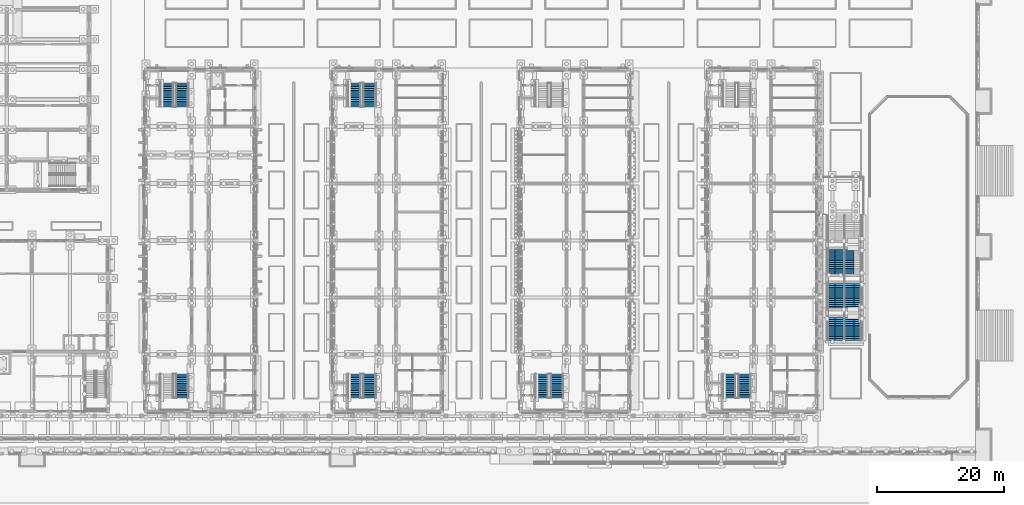
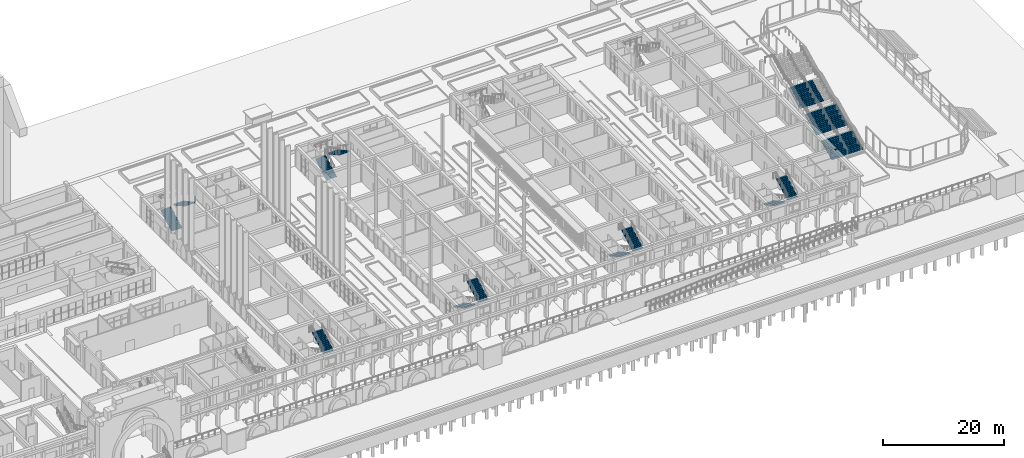
# One storey, part 76 of 161: 22 stair flights, 7 elements without a shape of their own.
"""IFC4 building model written with IfcOpenShell, lengths in metres."""

from ifc_helpers import new_model, si_unit, direction, frame, origin, place, context, subcontext, project, spatial, polyline, outline, extrude, material, type_object, element, aggregate, save


model = new_model("IFC4")

# Units and contexts
model_context = context("Model", 3, precision=1e-05, world=origin(), true_north=direction((0.0, 1.0)))
body_context = subcontext(model_context, "Body", "Model", "MODEL_VIEW")
ifc_project = project(units=[si_unit("LENGTHUNIT", "METRE"), si_unit("AREAUNIT", "SQUARE_METRE"), si_unit("VOLUMEUNIT", "CUBIC_METRE"), si_unit("PLANEANGLEUNIT", "RADIAN"), si_unit("MASSUNIT", "GRAM", prefix="KILO")], contexts=[model_context])

# Site, building, storey
site_placement = place(None, origin())
site = spatial("IfcSite", under=ifc_project, at=site_placement, CompositionType="ELEMENT")
building_placement = place(site_placement, origin())
building = spatial("IfcBuilding", under=site, at=building_placement, Name="Elbe Cascade School", CompositionType="ELEMENT")
storey_placement = place(building_placement, origin())
storey = spatial("IfcBuildingStorey", under=building, at=storey_placement, Name="L00", CompositionType="ELEMENT", Elevation=0.0)

# Stair, stair flight
ifc_material_1 = material(Name="Concrete C30/37", Category="concrete")
stair_type_1 = type_object("IfcStairType", Name="Bar stair RC 150", PredefinedType="HALF_TURN_STAIR", material=ifc_material_1)
stair_1_placement = place(storey_placement, origin())
stair_1 = element("IfcStair", 1, at=stair_1_placement, inside=storey, type_object=stair_type_1, Name="Stair A0.S", PredefinedType="HALF_TURN_STAIR")
ifc_material_2 = material(Name="Concrete C30/37", Category="concrete")
stair_flight_type_1 = type_object("IfcStairFlightType", Name="Bar stair flight RC", PredefinedType="STRAIGHT", material=ifc_material_2)
stair_flight_1_placement = place(storey_placement, frame((74.72509765625, 8.1298828125, 2.25), z_axis=(0.0, 0.0, 1.0), x_axis=(0.0, 1.0, 0.0)))
stair_flight_1 = element("IfcStairFlight", 2, at=stair_flight_1_placement, type_object=stair_flight_type_1, Name="ST3 flight 2", NumberOfRisers=14, NumberOfTreads=13, PredefinedType="STRAIGHT", RiserHeight=0.160714286, TreadLength=0.29, context=body_context, shape_type="SweptSolid", body=[
    extrude(outline(polyline([(0.0, 0.0), (0.0, 0.16064453125), (0.2900390625, 0.16064453125), (0.2900390625, 0.321533203125), (0.580078125, 0.321533203125), (0.580078125, 0.482177734375), (0.8701171875, 0.482177734375), (0.8701171875, 0.642822265625), (1.159912109375, 0.642822265625), (1.159912109375, 0.803466796875), (1.449951171875, 0.803466796875), (1.449951171875, 0.96435546875), (1.739990234375, 0.96435546875), (1.739990234375, 1.125), (2.030029296875, 1.125), (2.030029296875, 1.28564453125), (2.320068359375, 1.28564453125), (2.320068359375, 1.446533203125), (2.610107421875, 1.446533203125), (2.610107421875, 1.607177734375), (2.89990234375, 1.607177734375), (2.89990234375, 1.767822265625), (3.18994140625, 1.767822265625), (3.18994140625, 1.928466796875), (3.47998046875, 1.928466796875), (3.47998046875, 2.08935546875), (3.77001953125, 2.08935546875), (3.77001953125, 2.25), (3.77001953125, 1.91796875), (0.309326171875, 0.0), (0.0, 0.0)])), frame((0.0, 0.97509765625, 0.0), z_axis=(0.0, -1.0, 0.0), x_axis=(1.0, 0.0, 0.0)), (0.0, 0.0, 1.0), 1.949951171875),
])
aggregate(stair_1, [stair_flight_1])

# Stair, stair flights
stair_2_placement = place(storey_placement, origin())
stair_2 = element("IfcStair", 3, at=stair_2_placement, inside=storey, type_object=stair_type_1, Name="Stair A0.N", PredefinedType="HALF_TURN_STAIR")
stair_flight_2_placement = place(storey_placement, frame((72.27490234375, 54.10009765625, 0.0), z_axis=(0.0, 0.0, 1.0), x_axis=(0.0, 1.0, 0.0)))
stair_flight_2 = element("IfcStairFlight", 4, at=stair_flight_2_placement, type_object=stair_flight_type_1, Name="ST3 flight 1", NumberOfRisers=14, NumberOfTreads=13, PredefinedType="STRAIGHT", RiserHeight=0.160714286, TreadLength=0.29, context=body_context, shape_type="SweptSolid", body=[
    extrude(outline(polyline([(0.0, 0.0), (0.0, 0.16064453125), (0.2900390625, 0.16064453125), (0.2900390625, 0.321533203125), (0.580078125, 0.321533203125), (0.580078125, 0.482177734375), (0.8701171875, 0.482177734375), (0.8701171875, 0.642822265625), (1.159912109375, 0.642822265625), (1.159912109375, 0.803466796875), (1.449951171875, 0.803466796875), (1.449951171875, 0.96435546875), (1.739990234375, 0.96435546875), (1.739990234375, 1.125), (2.030029296875, 1.125), (2.030029296875, 1.28564453125), (2.320068359375, 1.28564453125), (2.320068359375, 1.446533203125), (2.610107421875, 1.446533203125), (2.610107421875, 1.607177734375), (2.89990234375, 1.607177734375), (2.89990234375, 1.767822265625), (3.18994140625, 1.767822265625), (3.18994140625, 1.928466796875), (3.47998046875, 1.928466796875), (3.47998046875, 2.08935546875), (3.77001953125, 2.08935546875), (3.77001953125, 2.25), (3.77001953125, 1.91796875), (0.309326171875, 0.0), (0.0, 0.0)])), frame((0.0, 0.97509765625, 0.0), z_axis=(0.0, -1.0, 0.0), x_axis=(1.0, 0.0, 0.0)), (0.0, 0.0, 1.0), 1.949951171875),
])
stair_flight_3_placement = place(storey_placement, frame((74.72509765625, 57.8701171875, 2.25), z_axis=(0.0, 0.0, 1.0), x_axis=(0.0, -1.0, 0.0)))
stair_flight_3 = element("IfcStairFlight", 5, at=stair_flight_3_placement, type_object=stair_flight_type_1, Name="ST3 flight 2", NumberOfRisers=14, NumberOfTreads=13, PredefinedType="STRAIGHT", RiserHeight=0.160714286, TreadLength=0.29, context=body_context, shape_type="SweptSolid", body=[
    extrude(outline(polyline([(0.0, 0.0), (0.0, 0.16064453125), (0.2900390625, 0.16064453125), (0.2900390625, 0.321533203125), (0.580078125, 0.321533203125), (0.580078125, 0.482177734375), (0.8701171875, 0.482177734375), (0.8701171875, 0.642822265625), (1.159912109375, 0.642822265625), (1.159912109375, 0.803466796875), (1.449951171875, 0.803466796875), (1.449951171875, 0.96435546875), (1.739990234375, 0.96435546875), (1.739990234375, 1.125), (2.030029296875, 1.125), (2.030029296875, 1.28564453125), (2.320068359375, 1.28564453125), (2.320068359375, 1.446533203125), (2.610107421875, 1.446533203125), (2.610107421875, 1.607177734375), (2.89990234375, 1.607177734375), (2.89990234375, 1.767822265625), (3.18994140625, 1.767822265625), (3.18994140625, 1.928466796875), (3.47998046875, 1.928466796875), (3.47998046875, 2.08935546875), (3.77001953125, 2.08935546875), (3.77001953125, 2.25), (3.77001953125, 1.91796875), (0.309326171875, 0.0), (0.0, 0.0)])), frame((0.0, 0.97509765625, 0.0), z_axis=(0.0, -1.0, 0.0), x_axis=(1.0, 0.0, 0.0)), (0.0, 0.0, 1.0), 1.949951171875),
])
aggregate(stair_2, [stair_flight_2, stair_flight_3])

stair_3_placement = place(storey_placement, origin())
stair_3 = element("IfcStair", 6, at=stair_3_placement, inside=storey, type_object=stair_type_1, Name="Stair B0.S", PredefinedType="HALF_TURN_STAIR")
stair_flight_4_placement = place(storey_placement, frame((101.875, 11.89990234375, 0.0), z_axis=(0.0, 0.0, 1.0), x_axis=(0.0, -1.0, 0.0)))
stair_flight_4 = element("IfcStairFlight", 7, at=stair_flight_4_placement, type_object=stair_flight_type_1, Name="ST3 flight 1", NumberOfRisers=14, NumberOfTreads=13, PredefinedType="STRAIGHT", RiserHeight=0.160714286, TreadLength=0.29, context=body_context, shape_type="SweptSolid", body=[
    extrude(outline(polyline([(0.0, 0.0), (0.0, 0.16064453125), (0.2900390625, 0.16064453125), (0.2900390625, 0.321533203125), (0.580078125, 0.321533203125), (0.580078125, 0.482177734375), (0.8701171875, 0.482177734375), (0.8701171875, 0.642822265625), (1.159912109375, 0.642822265625), (1.159912109375, 0.803466796875), (1.449951171875, 0.803466796875), (1.449951171875, 0.96435546875), (1.739990234375, 0.96435546875), (1.739990234375, 1.125), (2.030029296875, 1.125), (2.030029296875, 1.28564453125), (2.320068359375, 1.28564453125), (2.320068359375, 1.446533203125), (2.610107421875, 1.446533203125), (2.610107421875, 1.607177734375), (2.89990234375, 1.607177734375), (2.89990234375, 1.767822265625), (3.18994140625, 1.767822265625), (3.18994140625, 1.928466796875), (3.47998046875, 1.928466796875), (3.47998046875, 2.08935546875), (3.77001953125, 2.08935546875), (3.77001953125, 2.25), (3.77001953125, 1.91796875), (0.309326171875, 0.0), (0.0, 0.0)])), frame((0.0, 0.97509765625, 0.0), z_axis=(0.0, -1.0, 0.0), x_axis=(1.0, 0.0, 0.0)), (0.0, 0.0, 1.0), 1.949951171875),
])
stair_flight_5_placement = place(storey_placement, frame((104.324951171875, 8.1298828125, 2.25), z_axis=(0.0, 0.0, 1.0), x_axis=(0.0, 1.0, 0.0)))
stair_flight_5 = element("IfcStairFlight", 8, at=stair_flight_5_placement, type_object=stair_flight_type_1, Name="ST3 flight 2", NumberOfRisers=14, NumberOfTreads=13, PredefinedType="STRAIGHT", RiserHeight=0.160714286, TreadLength=0.29, context=body_context, shape_type="SweptSolid", body=[
    extrude(outline(polyline([(0.0, 0.0), (0.0, 0.16064453125), (0.2900390625, 0.16064453125), (0.2900390625, 0.321533203125), (0.580078125, 0.321533203125), (0.580078125, 0.482177734375), (0.8701171875, 0.482177734375), (0.8701171875, 0.642822265625), (1.159912109375, 0.642822265625), (1.159912109375, 0.803466796875), (1.449951171875, 0.803466796875), (1.449951171875, 0.96435546875), (1.739990234375, 0.96435546875), (1.739990234375, 1.125), (2.030029296875, 1.125), (2.030029296875, 1.28564453125), (2.320068359375, 1.28564453125), (2.320068359375, 1.446533203125), (2.610107421875, 1.446533203125), (2.610107421875, 1.607177734375), (2.89990234375, 1.607177734375), (2.89990234375, 1.767822265625), (3.18994140625, 1.767822265625), (3.18994140625, 1.928466796875), (3.47998046875, 1.928466796875), (3.47998046875, 2.08935546875), (3.77001953125, 2.08935546875), (3.77001953125, 2.25), (3.77001953125, 1.91796875), (0.309326171875, 0.0), (0.0, 0.0)])), frame((0.0, 0.97509765625, 0.0), z_axis=(0.0, -1.0, 0.0), x_axis=(1.0, 0.0, 0.0)), (0.0, 0.0, 1.0), 1.949951171875),
])
aggregate(stair_3, [stair_flight_4, stair_flight_5])

stair_4_placement = place(storey_placement, origin())
stair_4 = element("IfcStair", 9, at=stair_4_placement, inside=storey, type_object=stair_type_1, Name="Stair B0.N", PredefinedType="HALF_TURN_STAIR")
stair_flight_6_placement = place(storey_placement, frame((101.875, 54.10009765625, 0.0), z_axis=(0.0, 0.0, 1.0), x_axis=(0.0, 1.0, 0.0)))
stair_flight_6 = element("IfcStairFlight", 10, at=stair_flight_6_placement, type_object=stair_flight_type_1, Name="ST3 flight 1", NumberOfRisers=14, NumberOfTreads=13, PredefinedType="STRAIGHT", RiserHeight=0.160714286, TreadLength=0.29, context=body_context, shape_type="SweptSolid", body=[
    extrude(outline(polyline([(0.0, 0.0), (0.0, 0.16064453125), (0.2900390625, 0.16064453125), (0.2900390625, 0.321533203125), (0.580078125, 0.321533203125), (0.580078125, 0.482177734375), (0.8701171875, 0.482177734375), (0.8701171875, 0.642822265625), (1.159912109375, 0.642822265625), (1.159912109375, 0.803466796875), (1.449951171875, 0.803466796875), (1.449951171875, 0.96435546875), (1.739990234375, 0.96435546875), (1.739990234375, 1.125), (2.030029296875, 1.125), (2.030029296875, 1.28564453125), (2.320068359375, 1.28564453125), (2.320068359375, 1.446533203125), (2.610107421875, 1.446533203125), (2.610107421875, 1.607177734375), (2.89990234375, 1.607177734375), (2.89990234375, 1.767822265625), (3.18994140625, 1.767822265625), (3.18994140625, 1.928466796875), (3.47998046875, 1.928466796875), (3.47998046875, 2.08935546875), (3.77001953125, 2.08935546875), (3.77001953125, 2.25), (3.77001953125, 1.91796875), (0.309326171875, 0.0), (0.0, 0.0)])), frame((0.0, 0.97509765625, 0.0), z_axis=(0.0, -1.0, 0.0), x_axis=(1.0, 0.0, 0.0)), (0.0, 0.0, 1.0), 1.949951171875),
])
stair_flight_7_placement = place(storey_placement, frame((104.324951171875, 57.8701171875, 2.25), z_axis=(0.0, 0.0, 1.0), x_axis=(0.0, -1.0, 0.0)))
stair_flight_7 = element("IfcStairFlight", 11, at=stair_flight_7_placement, type_object=stair_flight_type_1, Name="ST3 flight 2", NumberOfRisers=14, NumberOfTreads=13, PredefinedType="STRAIGHT", RiserHeight=0.160714286, TreadLength=0.29, context=body_context, shape_type="SweptSolid", body=[
    extrude(outline(polyline([(0.0, 0.0), (0.0, 0.16064453125), (0.2900390625, 0.16064453125), (0.2900390625, 0.321533203125), (0.580078125, 0.321533203125), (0.580078125, 0.482177734375), (0.8701171875, 0.482177734375), (0.8701171875, 0.642822265625), (1.159912109375, 0.642822265625), (1.159912109375, 0.803466796875), (1.449951171875, 0.803466796875), (1.449951171875, 0.96435546875), (1.739990234375, 0.96435546875), (1.739990234375, 1.125), (2.030029296875, 1.125), (2.030029296875, 1.28564453125), (2.320068359375, 1.28564453125), (2.320068359375, 1.446533203125), (2.610107421875, 1.446533203125), (2.610107421875, 1.607177734375), (2.89990234375, 1.607177734375), (2.89990234375, 1.767822265625), (3.18994140625, 1.767822265625), (3.18994140625, 1.928466796875), (3.47998046875, 1.928466796875), (3.47998046875, 2.08935546875), (3.77001953125, 2.08935546875), (3.77001953125, 2.25), (3.77001953125, 1.91796875), (0.309326171875, 0.0), (0.0, 0.0)])), frame((0.0, 0.97509765625, 0.0), z_axis=(0.0, -1.0, 0.0), x_axis=(1.0, 0.0, 0.0)), (0.0, 0.0, 1.0), 1.949951171875),
])
aggregate(stair_4, [stair_flight_6, stair_flight_7])

stair_5_placement = place(storey_placement, origin())
stair_5 = element("IfcStair", 12, at=stair_5_placement, inside=storey, type_object=stair_type_1, Name="Stair C0.S", PredefinedType="HALF_TURN_STAIR")
stair_flight_8_placement = place(storey_placement, frame((131.47509765625, 11.89990234375, 0.0), z_axis=(0.0, 0.0, 1.0), x_axis=(0.0, -1.0, 0.0)))
stair_flight_8 = element("IfcStairFlight", 13, at=stair_flight_8_placement, type_object=stair_flight_type_1, Name="ST3 flight 1", NumberOfRisers=14, NumberOfTreads=13, PredefinedType="STRAIGHT", RiserHeight=0.160714286, TreadLength=0.29, context=body_context, shape_type="SweptSolid", body=[
    extrude(outline(polyline([(0.0, 0.0), (0.0, 0.16064453125), (0.2900390625, 0.16064453125), (0.2900390625, 0.321533203125), (0.580078125, 0.321533203125), (0.580078125, 0.482177734375), (0.8701171875, 0.482177734375), (0.8701171875, 0.642822265625), (1.159912109375, 0.642822265625), (1.159912109375, 0.803466796875), (1.449951171875, 0.803466796875), (1.449951171875, 0.96435546875), (1.739990234375, 0.96435546875), (1.739990234375, 1.125), (2.030029296875, 1.125), (2.030029296875, 1.28564453125), (2.320068359375, 1.28564453125), (2.320068359375, 1.446533203125), (2.610107421875, 1.446533203125), (2.610107421875, 1.607177734375), (2.89990234375, 1.607177734375), (2.89990234375, 1.767822265625), (3.18994140625, 1.767822265625), (3.18994140625, 1.928466796875), (3.47998046875, 1.928466796875), (3.47998046875, 2.08935546875), (3.77001953125, 2.08935546875), (3.77001953125, 2.25), (3.77001953125, 1.91796875), (0.309326171875, 0.0), (0.0, 0.0)])), frame((0.0, 0.97509765625, 0.0), z_axis=(0.0, -1.0, 0.0), x_axis=(1.0, 0.0, 0.0)), (0.0, 0.0, 1.0), 1.949951171875),
])
stair_flight_9_placement = place(storey_placement, frame((133.925048828125, 8.1298828125, 2.25), z_axis=(0.0, 0.0, 1.0), x_axis=(0.0, 1.0, 0.0)))
stair_flight_9 = element("IfcStairFlight", 14, at=stair_flight_9_placement, type_object=stair_flight_type_1, Name="ST3 flight 2", NumberOfRisers=14, NumberOfTreads=13, PredefinedType="STRAIGHT", RiserHeight=0.160714286, TreadLength=0.29, context=body_context, shape_type="SweptSolid", body=[
    extrude(outline(polyline([(0.0, 0.0), (0.0, 0.16064453125), (0.2900390625, 0.16064453125), (0.2900390625, 0.321533203125), (0.580078125, 0.321533203125), (0.580078125, 0.482177734375), (0.8701171875, 0.482177734375), (0.8701171875, 0.642822265625), (1.159912109375, 0.642822265625), (1.159912109375, 0.803466796875), (1.449951171875, 0.803466796875), (1.449951171875, 0.96435546875), (1.739990234375, 0.96435546875), (1.739990234375, 1.125), (2.030029296875, 1.125), (2.030029296875, 1.28564453125), (2.320068359375, 1.28564453125), (2.320068359375, 1.446533203125), (2.610107421875, 1.446533203125), (2.610107421875, 1.607177734375), (2.89990234375, 1.607177734375), (2.89990234375, 1.767822265625), (3.18994140625, 1.767822265625), (3.18994140625, 1.928466796875), (3.47998046875, 1.928466796875), (3.47998046875, 2.08935546875), (3.77001953125, 2.08935546875), (3.77001953125, 2.25), (3.77001953125, 1.91796875), (0.309326171875, 0.0), (0.0, 0.0)])), frame((0.0, 0.97509765625, 0.0), z_axis=(0.0, -1.0, 0.0), x_axis=(1.0, 0.0, 0.0)), (0.0, 0.0, 1.0), 1.949951171875),
])
aggregate(stair_5, [stair_flight_8, stair_flight_9])

stair_6_placement = place(storey_placement, origin())
stair_6 = element("IfcStair", 15, at=stair_6_placement, inside=storey, type_object=stair_type_1, Name="Stair D0.S", PredefinedType="HALF_TURN_STAIR")
stair_flight_10_placement = place(storey_placement, frame((161.074951171875, 11.89990234375, 0.0), z_axis=(0.0, 0.0, 1.0), x_axis=(0.0, -1.0, 0.0)))
stair_flight_10 = element("IfcStairFlight", 16, at=stair_flight_10_placement, type_object=stair_flight_type_1, Name="ST3 flight 1", NumberOfRisers=14, NumberOfTreads=13, PredefinedType="STRAIGHT", RiserHeight=0.160714286, TreadLength=0.29, context=body_context, shape_type="SweptSolid", body=[
    extrude(outline(polyline([(0.0, 0.0), (0.0, 0.16064453125), (0.2900390625, 0.16064453125), (0.2900390625, 0.321533203125), (0.580078125, 0.321533203125), (0.580078125, 0.482177734375), (0.8701171875, 0.482177734375), (0.8701171875, 0.642822265625), (1.159912109375, 0.642822265625), (1.159912109375, 0.803466796875), (1.449951171875, 0.803466796875), (1.449951171875, 0.96435546875), (1.739990234375, 0.96435546875), (1.739990234375, 1.125), (2.030029296875, 1.125), (2.030029296875, 1.28564453125), (2.320068359375, 1.28564453125), (2.320068359375, 1.446533203125), (2.610107421875, 1.446533203125), (2.610107421875, 1.607177734375), (2.89990234375, 1.607177734375), (2.89990234375, 1.767822265625), (3.18994140625, 1.767822265625), (3.18994140625, 1.928466796875), (3.47998046875, 1.928466796875), (3.47998046875, 2.08935546875), (3.77001953125, 2.08935546875), (3.77001953125, 2.25), (3.77001953125, 1.91796875), (0.309326171875, 0.0), (0.0, 0.0)])), frame((0.0, 0.97509765625, 0.0), z_axis=(0.0, -1.0, 0.0), x_axis=(1.0, 0.0, 0.0)), (0.0, 0.0, 1.0), 1.949951171875),
])
stair_flight_11_placement = place(storey_placement, frame((163.52490234375, 8.1298828125, 2.25), z_axis=(0.0, 0.0, 1.0), x_axis=(0.0, 1.0, 0.0)))
stair_flight_11 = element("IfcStairFlight", 17, at=stair_flight_11_placement, type_object=stair_flight_type_1, Name="ST3 flight 2", NumberOfRisers=14, NumberOfTreads=13, PredefinedType="STRAIGHT", RiserHeight=0.160714286, TreadLength=0.29, context=body_context, shape_type="SweptSolid", body=[
    extrude(outline(polyline([(0.0, 0.0), (0.0, 0.16064453125), (0.2900390625, 0.16064453125), (0.2900390625, 0.321533203125), (0.580078125, 0.321533203125), (0.580078125, 0.482177734375), (0.8701171875, 0.482177734375), (0.8701171875, 0.642822265625), (1.159912109375, 0.642822265625), (1.159912109375, 0.803466796875), (1.449951171875, 0.803466796875), (1.449951171875, 0.96435546875), (1.739990234375, 0.96435546875), (1.739990234375, 1.125), (2.030029296875, 1.125), (2.030029296875, 1.28564453125), (2.320068359375, 1.28564453125), (2.320068359375, 1.446533203125), (2.610107421875, 1.446533203125), (2.610107421875, 1.607177734375), (2.89990234375, 1.607177734375), (2.89990234375, 1.767822265625), (3.18994140625, 1.767822265625), (3.18994140625, 1.928466796875), (3.47998046875, 1.928466796875), (3.47998046875, 2.08935546875), (3.77001953125, 2.08935546875), (3.77001953125, 2.25), (3.77001953125, 1.91796875), (0.309326171875, 0.0), (0.0, 0.0)])), frame((0.0, 0.97509765625, 0.0), z_axis=(0.0, -1.0, 0.0), x_axis=(1.0, 0.0, 0.0)), (0.0, 0.0, 1.0), 1.949951171875),
])
aggregate(stair_6, [stair_flight_10, stair_flight_11])

ifc_material_3 = material(Name="Concrete C30/37", Category="concrete")
stair_type_2 = type_object("IfcStairType", Name="Cascade steps", PredefinedType="STRAIGHT_RUN_STAIR", material=ifc_material_3)
stair_7_placement = place(storey_placement, origin())
stair_7 = element("IfcStair", 18, at=stair_7_placement, inside=storey, type_object=stair_type_2, Name="Cascade steps", PredefinedType="STRAIGHT_RUN_STAIR")
ifc_material_4 = material(Name="Concrete C30/37", Category="concrete")
stair_flight_type_2 = type_object("IfcStairFlightType", Name="Cascade steps flight", PredefinedType="STRAIGHT", material=ifc_material_4)
stair_flight_12_placement = place(storey_placement, frame((177.050048828125, 17.199951171875, 0.0), z_axis=(0.0, 0.0, 1.0), x_axis=(0.0, 1.0, 0.0)))
stair_flight_12 = element("IfcStairFlight", 19, at=stair_flight_12_placement, type_object=stair_flight_type_2, Name="ST2 flight 1", NumberOfRisers=13, NumberOfTreads=12, PredefinedType="STRAIGHT", RiserHeight=0.149454545, TreadLength=0.3, context=body_context, shape_type="SweptSolid", body=[
    extrude(outline(polyline([(0.0, 0.0), (0.0, 0.1494140625), (0.300048828125, 0.1494140625), (0.300048828125, 0.298828125), (0.60009765625, 0.298828125), (0.60009765625, 0.4482421875), (0.89990234375, 0.4482421875), (0.89990234375, 0.597900390625), (1.199951171875, 0.597900390625), (1.199951171875, 0.747314453125), (1.5, 0.747314453125), (1.5, 0.896728515625), (1.800048828125, 0.896728515625), (1.800048828125, 1.046142578125), (2.10009765625, 1.046142578125), (2.10009765625, 1.195556640625), (2.39990234375, 1.195556640625), (2.39990234375, 1.344970703125), (2.699951171875, 1.344970703125), (2.699951171875, 1.49462890625), (3.0, 1.49462890625), (3.0, 1.64404296875), (3.300048828125, 1.64404296875), (3.300048828125, 1.79345703125), (3.60009765625, 1.79345703125), (3.60009765625, 1.94287109375), (3.60009765625, 1.6259765625), (0.336181640625, 0.0), (0.0, 0.0)])), frame((0.0, 0.75, 0.0), z_axis=(0.0, -1.0, 0.0), x_axis=(1.0, 0.0, 0.0)), (0.0, 0.0, 1.0), 1.5),
])
stair_flight_13_placement = place(storey_placement, frame((178.550048828125, 17.199951171875, 0.0), z_axis=(0.0, 0.0, 1.0), x_axis=(0.0, 1.0, 0.0)))
stair_flight_13 = element("IfcStairFlight", 20, at=stair_flight_13_placement, type_object=stair_flight_type_2, Name="ST2 flight 2", NumberOfRisers=13, NumberOfTreads=12, PredefinedType="STRAIGHT", RiserHeight=0.149454545, TreadLength=0.3, context=body_context, shape_type="SweptSolid", body=[
    extrude(outline(polyline([(0.0, 0.0), (0.0, 0.1494140625), (0.300048828125, 0.1494140625), (0.300048828125, 0.298828125), (0.60009765625, 0.298828125), (0.60009765625, 0.4482421875), (0.89990234375, 0.4482421875), (0.89990234375, 0.597900390625), (1.199951171875, 0.597900390625), (1.199951171875, 0.747314453125), (1.5, 0.747314453125), (1.5, 0.896728515625), (1.800048828125, 0.896728515625), (1.800048828125, 1.046142578125), (2.10009765625, 1.046142578125), (2.10009765625, 1.195556640625), (2.39990234375, 1.195556640625), (2.39990234375, 1.344970703125), (2.699951171875, 1.344970703125), (2.699951171875, 1.49462890625), (3.0, 1.49462890625), (3.0, 1.64404296875), (3.300048828125, 1.64404296875), (3.300048828125, 1.79345703125), (3.60009765625, 1.79345703125), (3.60009765625, 1.94287109375), (3.60009765625, 1.6259765625), (0.336181640625, 0.0), (0.0, 0.0)])), frame((0.0, 0.75, 0.0), z_axis=(0.0, -1.0, 0.0), x_axis=(1.0, 0.0, 0.0)), (0.0, 0.0, 1.0), 1.5),
])
stair_flight_14_placement = place(storey_placement, frame((180.050048828125, 17.199951171875, 0.0), z_axis=(0.0, 0.0, 1.0), x_axis=(0.0, 1.0, 0.0)))
stair_flight_14 = element("IfcStairFlight", 21, at=stair_flight_14_placement, type_object=stair_flight_type_2, Name="ST2 flight 3", NumberOfRisers=13, NumberOfTreads=12, PredefinedType="STRAIGHT", RiserHeight=0.149454545, TreadLength=0.3, context=body_context, shape_type="SweptSolid", body=[
    extrude(outline(polyline([(0.0, 0.0), (0.0, 0.1494140625), (0.300048828125, 0.1494140625), (0.300048828125, 0.298828125), (0.60009765625, 0.298828125), (0.60009765625, 0.4482421875), (0.89990234375, 0.4482421875), (0.89990234375, 0.597900390625), (1.199951171875, 0.597900390625), (1.199951171875, 0.747314453125), (1.5, 0.747314453125), (1.5, 0.896728515625), (1.800048828125, 0.896728515625), (1.800048828125, 1.046142578125), (2.10009765625, 1.046142578125), (2.10009765625, 1.195556640625), (2.39990234375, 1.195556640625), (2.39990234375, 1.344970703125), (2.699951171875, 1.344970703125), (2.699951171875, 1.49462890625), (3.0, 1.49462890625), (3.0, 1.64404296875), (3.300048828125, 1.64404296875), (3.300048828125, 1.79345703125), (3.60009765625, 1.79345703125), (3.60009765625, 1.94287109375), (3.60009765625, 1.6259765625), (0.336181640625, 0.0), (0.0, 0.0)])), frame((0.0, 0.75, 0.0), z_axis=(0.0, -1.0, 0.0), x_axis=(1.0, 0.0, 0.0)), (0.0, 0.0, 1.0), 1.5),
])
stair_flight_15_placement = place(storey_placement, frame((181.550048828125, 17.199951171875, 0.0), z_axis=(0.0, 0.0, 1.0), x_axis=(0.0, 1.0, 0.0)))
stair_flight_15 = element("IfcStairFlight", 22, at=stair_flight_15_placement, type_object=stair_flight_type_2, Name="ST2 flight 4", NumberOfRisers=13, NumberOfTreads=12, PredefinedType="STRAIGHT", RiserHeight=0.149454545, TreadLength=0.3, context=body_context, shape_type="SweptSolid", body=[
    extrude(outline(polyline([(0.0, 0.0), (0.0, 0.1494140625), (0.300048828125, 0.1494140625), (0.300048828125, 0.298828125), (0.60009765625, 0.298828125), (0.60009765625, 0.4482421875), (0.89990234375, 0.4482421875), (0.89990234375, 0.597900390625), (1.199951171875, 0.597900390625), (1.199951171875, 0.747314453125), (1.5, 0.747314453125), (1.5, 0.896728515625), (1.800048828125, 0.896728515625), (1.800048828125, 1.046142578125), (2.10009765625, 1.046142578125), (2.10009765625, 1.195556640625), (2.39990234375, 1.195556640625), (2.39990234375, 1.344970703125), (2.699951171875, 1.344970703125), (2.699951171875, 1.49462890625), (3.0, 1.49462890625), (3.0, 1.64404296875), (3.300048828125, 1.64404296875), (3.300048828125, 1.79345703125), (3.60009765625, 1.79345703125), (3.60009765625, 1.94287109375), (3.60009765625, 1.6259765625), (0.336181640625, 0.0), (0.0, 0.0)])), frame((0.0, 0.75, 0.0), z_axis=(0.0, -1.0, 0.0), x_axis=(1.0, 0.0, 0.0)), (0.0, 0.0, 1.0), 1.5),
])
stair_flight_16_placement = place(storey_placement, frame((177.050048828125, 22.300048828125, 1.94287109375), z_axis=(0.0, 0.0, 1.0), x_axis=(0.0, 1.0, 0.0)))
stair_flight_16 = element("IfcStairFlight", 23, at=stair_flight_16_placement, type_object=stair_flight_type_2, Name="ST2 flight 5", NumberOfRisers=14, NumberOfTreads=13, PredefinedType="STRAIGHT", RiserHeight=0.149454545, TreadLength=0.3, context=body_context, shape_type="SweptSolid", body=[
    extrude(outline(polyline([(0.0, 0.0), (0.0, 0.1494140625), (0.300048828125, 0.1494140625), (0.300048828125, 0.298828125), (0.60009765625, 0.298828125), (0.60009765625, 0.4482421875), (0.89990234375, 0.4482421875), (0.89990234375, 0.597900390625), (1.199951171875, 0.597900390625), (1.199951171875, 0.747314453125), (1.5, 0.747314453125), (1.5, 0.896728515625), (1.800048828125, 0.896728515625), (1.800048828125, 1.046142578125), (2.10009765625, 1.046142578125), (2.10009765625, 1.195556640625), (2.39990234375, 1.195556640625), (2.39990234375, 1.344970703125), (2.699951171875, 1.344970703125), (2.699951171875, 1.49462890625), (3.0, 1.49462890625), (3.0, 1.64404296875), (3.300048828125, 1.64404296875), (3.300048828125, 1.79345703125), (3.60009765625, 1.79345703125), (3.60009765625, 1.94287109375), (3.89990234375, 1.94287109375), (3.89990234375, 2.09228515625), (3.89990234375, 1.775390625), (0.336181640625, 0.0), (0.0, 0.0)])), frame((0.0, 0.75, 0.0), z_axis=(0.0, -1.0, 0.0), x_axis=(1.0, 0.0, 0.0)), (0.0, 0.0, 1.0), 1.5),
])
stair_flight_17_placement = place(storey_placement, frame((178.550048828125, 22.300048828125, 1.94287109375), z_axis=(0.0, 0.0, 1.0), x_axis=(0.0, 1.0, 0.0)))
stair_flight_17 = element("IfcStairFlight", 24, at=stair_flight_17_placement, type_object=stair_flight_type_2, Name="ST2 flight 6", NumberOfRisers=14, NumberOfTreads=13, PredefinedType="STRAIGHT", RiserHeight=0.149454545, TreadLength=0.3, context=body_context, shape_type="SweptSolid", body=[
    extrude(outline(polyline([(0.0, 0.0), (0.0, 0.1494140625), (0.300048828125, 0.1494140625), (0.300048828125, 0.298828125), (0.60009765625, 0.298828125), (0.60009765625, 0.4482421875), (0.89990234375, 0.4482421875), (0.89990234375, 0.597900390625), (1.199951171875, 0.597900390625), (1.199951171875, 0.747314453125), (1.5, 0.747314453125), (1.5, 0.896728515625), (1.800048828125, 0.896728515625), (1.800048828125, 1.046142578125), (2.10009765625, 1.046142578125), (2.10009765625, 1.195556640625), (2.39990234375, 1.195556640625), (2.39990234375, 1.344970703125), (2.699951171875, 1.344970703125), (2.699951171875, 1.49462890625), (3.0, 1.49462890625), (3.0, 1.64404296875), (3.300048828125, 1.64404296875), (3.300048828125, 1.79345703125), (3.60009765625, 1.79345703125), (3.60009765625, 1.94287109375), (3.89990234375, 1.94287109375), (3.89990234375, 2.09228515625), (3.89990234375, 1.775390625), (0.336181640625, 0.0), (0.0, 0.0)])), frame((0.0, 0.75, 0.0), z_axis=(0.0, -1.0, 0.0), x_axis=(1.0, 0.0, 0.0)), (0.0, 0.0, 1.0), 1.5),
])
stair_flight_18_placement = place(storey_placement, frame((180.050048828125, 22.300048828125, 1.94287109375), z_axis=(0.0, 0.0, 1.0), x_axis=(0.0, 1.0, 0.0)))
stair_flight_18 = element("IfcStairFlight", 25, at=stair_flight_18_placement, type_object=stair_flight_type_2, Name="ST2 flight 7", NumberOfRisers=14, NumberOfTreads=13, PredefinedType="STRAIGHT", RiserHeight=0.149454545, TreadLength=0.3, context=body_context, shape_type="SweptSolid", body=[
    extrude(outline(polyline([(0.0, 0.0), (0.0, 0.1494140625), (0.300048828125, 0.1494140625), (0.300048828125, 0.298828125), (0.60009765625, 0.298828125), (0.60009765625, 0.4482421875), (0.89990234375, 0.4482421875), (0.89990234375, 0.597900390625), (1.199951171875, 0.597900390625), (1.199951171875, 0.747314453125), (1.5, 0.747314453125), (1.5, 0.896728515625), (1.800048828125, 0.896728515625), (1.800048828125, 1.046142578125), (2.10009765625, 1.046142578125), (2.10009765625, 1.195556640625), (2.39990234375, 1.195556640625), (2.39990234375, 1.344970703125), (2.699951171875, 1.344970703125), (2.699951171875, 1.49462890625), (3.0, 1.49462890625), (3.0, 1.64404296875), (3.300048828125, 1.64404296875), (3.300048828125, 1.79345703125), (3.60009765625, 1.79345703125), (3.60009765625, 1.94287109375), (3.89990234375, 1.94287109375), (3.89990234375, 2.09228515625), (3.89990234375, 1.775390625), (0.336181640625, 0.0), (0.0, 0.0)])), frame((0.0, 0.75, 0.0), z_axis=(0.0, -1.0, 0.0), x_axis=(1.0, 0.0, 0.0)), (0.0, 0.0, 1.0), 1.5),
])
stair_flight_19_placement = place(storey_placement, frame((181.550048828125, 22.300048828125, 1.94287109375), z_axis=(0.0, 0.0, 1.0), x_axis=(0.0, 1.0, 0.0)))
stair_flight_19 = element("IfcStairFlight", 26, at=stair_flight_19_placement, type_object=stair_flight_type_2, Name="ST2 flight 8", NumberOfRisers=14, NumberOfTreads=13, PredefinedType="STRAIGHT", RiserHeight=0.149454545, TreadLength=0.3, context=body_context, shape_type="SweptSolid", body=[
    extrude(outline(polyline([(0.0, 0.0), (0.0, 0.1494140625), (0.300048828125, 0.1494140625), (0.300048828125, 0.298828125), (0.60009765625, 0.298828125), (0.60009765625, 0.4482421875), (0.89990234375, 0.4482421875), (0.89990234375, 0.597900390625), (1.199951171875, 0.597900390625), (1.199951171875, 0.747314453125), (1.5, 0.747314453125), (1.5, 0.896728515625), (1.800048828125, 0.896728515625), (1.800048828125, 1.046142578125), (2.10009765625, 1.046142578125), (2.10009765625, 1.195556640625), (2.39990234375, 1.195556640625), (2.39990234375, 1.344970703125), (2.699951171875, 1.344970703125), (2.699951171875, 1.49462890625), (3.0, 1.49462890625), (3.0, 1.64404296875), (3.300048828125, 1.64404296875), (3.300048828125, 1.79345703125), (3.60009765625, 1.79345703125), (3.60009765625, 1.94287109375), (3.89990234375, 1.94287109375), (3.89990234375, 2.09228515625), (3.89990234375, 1.775390625), (0.336181640625, 0.0), (0.0, 0.0)])), frame((0.0, 0.75, 0.0), z_axis=(0.0, -1.0, 0.0), x_axis=(1.0, 0.0, 0.0)), (0.0, 0.0, 1.0), 1.5),
])
stair_flight_20_placement = place(storey_placement, frame((177.050048828125, 27.699951171875, 4.03515625), z_axis=(0.0, 0.0, 1.0), x_axis=(0.0, 1.0, 0.0)))
stair_flight_20 = element("IfcStairFlight", 27, at=stair_flight_20_placement, type_object=stair_flight_type_2, Name="ST2 flight 9", NumberOfRisers=14, NumberOfTreads=13, PredefinedType="STRAIGHT", RiserHeight=0.149454545, TreadLength=0.3, context=body_context, shape_type="SweptSolid", body=[
    extrude(outline(polyline([(0.0, 0.0), (0.0, 0.1494140625), (0.300048828125, 0.1494140625), (0.300048828125, 0.298828125), (0.60009765625, 0.298828125), (0.60009765625, 0.4482421875), (0.89990234375, 0.4482421875), (0.89990234375, 0.597900390625), (1.199951171875, 0.597900390625), (1.199951171875, 0.747314453125), (1.5, 0.747314453125), (1.5, 0.896728515625), (1.800048828125, 0.896728515625), (1.800048828125, 1.046142578125), (2.10009765625, 1.046142578125), (2.10009765625, 1.195556640625), (2.39990234375, 1.195556640625), (2.39990234375, 1.344970703125), (2.699951171875, 1.344970703125), (2.699951171875, 1.49462890625), (3.0, 1.49462890625), (3.0, 1.64404296875), (3.300048828125, 1.64404296875), (3.300048828125, 1.79345703125), (3.60009765625, 1.79345703125), (3.60009765625, 1.94287109375), (3.89990234375, 1.94287109375), (3.89990234375, 2.09228515625), (3.89990234375, 1.775390625), (0.336181640625, 0.0), (0.0, 0.0)])), frame((0.0, 0.75, 0.0), z_axis=(0.0, -1.0, 0.0), x_axis=(1.0, 0.0, 0.0)), (0.0, 0.0, 1.0), 1.5),
])
stair_flight_21_placement = place(storey_placement, frame((178.550048828125, 27.699951171875, 4.03515625), z_axis=(0.0, 0.0, 1.0), x_axis=(0.0, 1.0, 0.0)))
stair_flight_21 = element("IfcStairFlight", 28, at=stair_flight_21_placement, type_object=stair_flight_type_2, Name="ST2 flight 10", NumberOfRisers=14, NumberOfTreads=13, PredefinedType="STRAIGHT", RiserHeight=0.149454545, TreadLength=0.3, context=body_context, shape_type="SweptSolid", body=[
    extrude(outline(polyline([(0.0, 0.0), (0.0, 0.1494140625), (0.300048828125, 0.1494140625), (0.300048828125, 0.298828125), (0.60009765625, 0.298828125), (0.60009765625, 0.4482421875), (0.89990234375, 0.4482421875), (0.89990234375, 0.597900390625), (1.199951171875, 0.597900390625), (1.199951171875, 0.747314453125), (1.5, 0.747314453125), (1.5, 0.896728515625), (1.800048828125, 0.896728515625), (1.800048828125, 1.046142578125), (2.10009765625, 1.046142578125), (2.10009765625, 1.195556640625), (2.39990234375, 1.195556640625), (2.39990234375, 1.344970703125), (2.699951171875, 1.344970703125), (2.699951171875, 1.49462890625), (3.0, 1.49462890625), (3.0, 1.64404296875), (3.300048828125, 1.64404296875), (3.300048828125, 1.79345703125), (3.60009765625, 1.79345703125), (3.60009765625, 1.94287109375), (3.89990234375, 1.94287109375), (3.89990234375, 2.09228515625), (3.89990234375, 1.775390625), (0.336181640625, 0.0), (0.0, 0.0)])), frame((0.0, 0.75, 0.0), z_axis=(0.0, -1.0, 0.0), x_axis=(1.0, 0.0, 0.0)), (0.0, 0.0, 1.0), 1.5),
])
stair_flight_22_placement = place(storey_placement, frame((180.050048828125, 27.699951171875, 4.03515625), z_axis=(0.0, 0.0, 1.0), x_axis=(0.0, 1.0, 0.0)))
stair_flight_22 = element("IfcStairFlight", 29, at=stair_flight_22_placement, type_object=stair_flight_type_2, Name="ST2 flight 11", NumberOfRisers=14, NumberOfTreads=13, PredefinedType="STRAIGHT", RiserHeight=0.149454545, TreadLength=0.3, context=body_context, shape_type="SweptSolid", body=[
    extrude(outline(polyline([(0.0, 0.0), (0.0, 0.1494140625), (0.300048828125, 0.1494140625), (0.300048828125, 0.298828125), (0.60009765625, 0.298828125), (0.60009765625, 0.4482421875), (0.89990234375, 0.4482421875), (0.89990234375, 0.597900390625), (1.199951171875, 0.597900390625), (1.199951171875, 0.747314453125), (1.5, 0.747314453125), (1.5, 0.896728515625), (1.800048828125, 0.896728515625), (1.800048828125, 1.046142578125), (2.10009765625, 1.046142578125), (2.10009765625, 1.195556640625), (2.39990234375, 1.195556640625), (2.39990234375, 1.344970703125), (2.699951171875, 1.344970703125), (2.699951171875, 1.49462890625), (3.0, 1.49462890625), (3.0, 1.64404296875), (3.300048828125, 1.64404296875), (3.300048828125, 1.79345703125), (3.60009765625, 1.79345703125), (3.60009765625, 1.94287109375), (3.89990234375, 1.94287109375), (3.89990234375, 2.09228515625), (3.89990234375, 1.775390625), (0.336181640625, 0.0), (0.0, 0.0)])), frame((0.0, 0.75, 0.0), z_axis=(0.0, -1.0, 0.0), x_axis=(1.0, 0.0, 0.0)), (0.0, 0.0, 1.0), 1.5),
])
aggregate(stair_7, [stair_flight_12, stair_flight_13, stair_flight_14, stair_flight_15, stair_flight_16, stair_flight_17, stair_flight_18, stair_flight_19, stair_flight_20, stair_flight_21, stair_flight_22])

save(model, "model.ifc")
